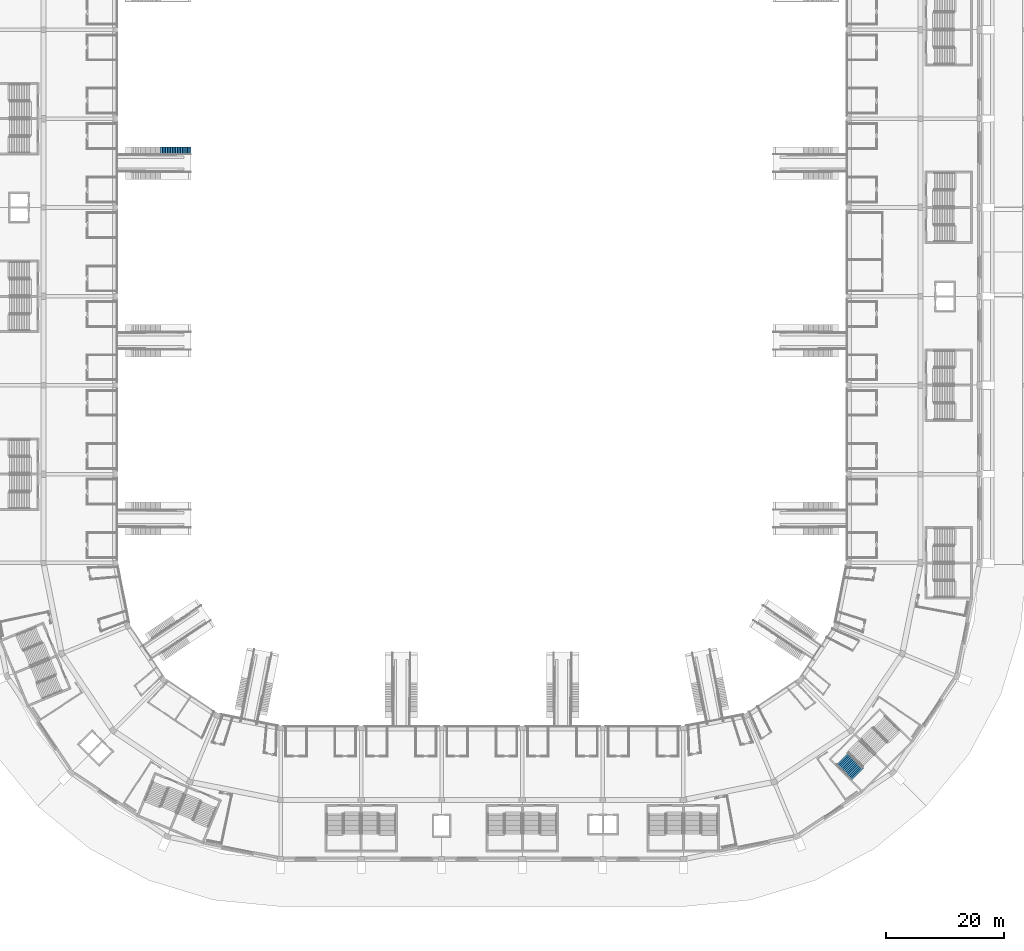
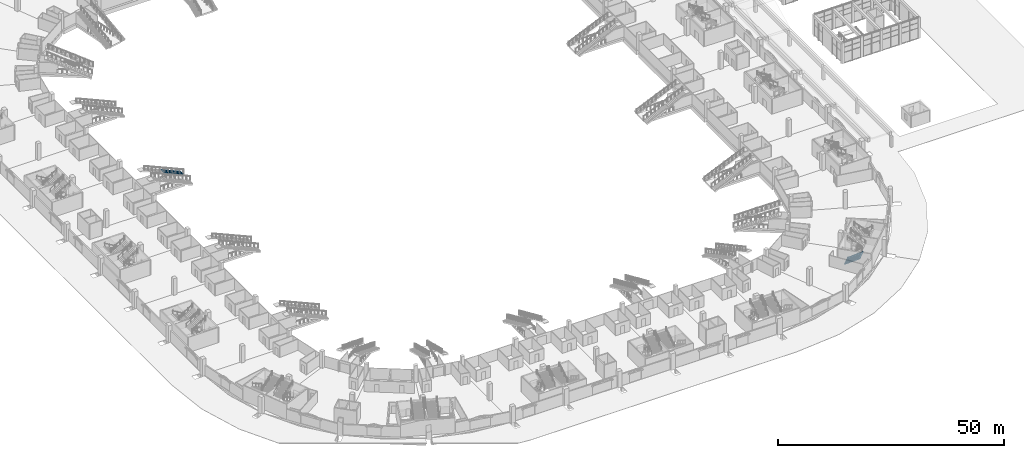
# One storey, part 87 of 175: 2 stair flights, 2 elements without a shape of their own.
"""IFC4 building model written with IfcOpenShell, lengths in metres."""

from ifc_helpers import new_model, si_unit, direction, frame, origin, place, context, subcontext, project, spatial, faceted_brep, material, type_object, element, aggregate, save


model = new_model("IFC4")

# Units and contexts
model_context = context("Model", 3, precision=1e-05, world=origin(), true_north=direction((0.0, 1.0)))
body_context = subcontext(model_context, "Body", "Model", "MODEL_VIEW")
ifc_project = project(units=[si_unit("LENGTHUNIT", "METRE"), si_unit("AREAUNIT", "SQUARE_METRE"), si_unit("VOLUMEUNIT", "CUBIC_METRE"), si_unit("PLANEANGLEUNIT", "RADIAN"), si_unit("MASSUNIT", "GRAM", prefix="KILO")], contexts=[model_context])

# Site, building, storey
site_placement = place(None, origin())
site = spatial("IfcSite", under=ifc_project, at=site_placement, CompositionType="ELEMENT")
building_placement = place(site_placement, origin())
building = spatial("IfcBuilding", under=site, at=building_placement, Name="Ogive Plaza Stadium", CompositionType="ELEMENT")
storey_placement = place(building_placement, origin())
storey = spatial("IfcBuildingStorey", under=building, at=storey_placement, Name="L00", CompositionType="ELEMENT", Elevation=0.0)

# Stair, stair flight
ifc_material_1 = material(Name="Concrete C40/50", Category="concrete")
stair_type_1 = type_object("IfcStairType", Name="Aisle stair", PredefinedType="STRAIGHT_RUN_STAIR", material=ifc_material_1)
stair_1_placement = place(storey_placement, origin())
stair_1 = element("IfcStair", 1, at=stair_1_placement, inside=storey, type_object=stair_type_1, Name="Aisle stair SA25L", PredefinedType="STRAIGHT_RUN_STAIR")
ifc_material_2 = material(Name="Concrete C40/50", Category="concrete")
stair_flight_type_1 = type_object("IfcStairFlightType", Name="Aisle stair flight", PredefinedType="STRAIGHT", material=ifc_material_2)
stair_flight_1_placement = place(storey_placement, frame((-49.14990234375, 17.10009765625, 0.0), z_axis=(0.0, 0.0, 1.0), x_axis=(-1.0, 0.0, 0.0)))
stair_flight_1 = element("IfcStairFlight", 2, at=stair_flight_1_placement, type_object=stair_flight_type_1, Name="SA25L flight 1", NumberOfRisers=18, NumberOfTreads=17, PredefinedType="STRAIGHT", RiserHeight=0.125, TreadLength=0.283333333, context=body_context, shape_type="Brep", body=[
    faceted_brep([(0.371337890625, -0.64990234375, 0.0), (5.10009765625, -0.64990234375, 2.086181640625), (5.10009765625, -0.64990234375, 2.25), (4.816650390625, -0.64990234375, 2.25), (4.816650390625, -0.64990234375, 2.125), (4.533447265625, -0.64990234375, 2.125), (4.533447265625, -0.64990234375, 2.0), (4.25, -0.64990234375, 2.0), (4.25, -0.64990234375, 1.875), (3.966552734375, -0.64990234375, 1.875), (3.966552734375, -0.64990234375, 1.75), (3.683349609375, -0.64990234375, 1.75), (3.683349609375, -0.64990234375, 1.625), (3.39990234375, -0.64990234375, 1.625), (3.39990234375, -0.64990234375, 1.5), (3.11669921875, -0.64990234375, 1.5), (3.11669921875, -0.64990234375, 1.375), (2.833251953125, -0.64990234375, 1.375), (2.833251953125, -0.64990234375, 1.25), (2.550048828125, -0.64990234375, 1.25), (2.550048828125, -0.64990234375, 1.125), (2.2666015625, -0.64990234375, 1.125), (2.2666015625, -0.64990234375, 1.0), (1.9833984375, -0.64990234375, 1.0), (1.9833984375, -0.64990234375, 0.875), (1.699951171875, -0.64990234375, 0.875), (1.699951171875, -0.64990234375, 0.75), (1.416748046875, -0.64990234375, 0.75), (1.416748046875, -0.64990234375, 0.625), (1.13330078125, -0.64990234375, 0.625), (1.13330078125, -0.64990234375, 0.5), (0.85009765625, -0.64990234375, 0.5), (0.85009765625, -0.64990234375, 0.375), (0.566650390625, -0.64990234375, 0.375), (0.566650390625, -0.64990234375, 0.25), (0.283447265625, -0.64990234375, 0.25), (0.283447265625, -0.64990234375, 0.125), (0.0, -0.64990234375, 0.125), (0.0, -0.64990234375, 0.0), (0.0, 0.64990234375, 0.0), (0.0, 0.64990234375, 0.125), (0.283447265625, 0.64990234375, 0.125), (0.283447265625, 0.64990234375, 0.25), (0.566650390625, 0.64990234375, 0.25), (0.566650390625, 0.64990234375, 0.375), (0.85009765625, 0.64990234375, 0.375), (0.85009765625, 0.64990234375, 0.5), (1.13330078125, 0.64990234375, 0.5), (1.13330078125, 0.64990234375, 0.625), (1.416748046875, 0.64990234375, 0.625), (1.416748046875, 0.64990234375, 0.75), (1.699951171875, 0.64990234375, 0.75), (1.699951171875, 0.64990234375, 0.875), (1.9833984375, 0.64990234375, 0.875), (1.9833984375, 0.64990234375, 1.0), (2.2666015625, 0.64990234375, 1.0), (2.2666015625, 0.64990234375, 1.125), (2.550048828125, 0.64990234375, 1.125), (2.550048828125, 0.64990234375, 1.25), (2.833251953125, 0.64990234375, 1.25), (2.833251953125, 0.64990234375, 1.375), (3.11669921875, 0.64990234375, 1.375), (3.11669921875, 0.64990234375, 1.5), (3.39990234375, 0.64990234375, 1.5), (3.39990234375, 0.64990234375, 1.625), (3.683349609375, 0.64990234375, 1.625), (3.683349609375, 0.64990234375, 1.75), (3.966552734375, 0.64990234375, 1.75), (3.966552734375, 0.64990234375, 1.875), (4.25, 0.64990234375, 1.875), (4.25, 0.64990234375, 2.0), (4.533447265625, 0.64990234375, 2.0), (4.533447265625, 0.64990234375, 2.125), (4.816650390625, 0.64990234375, 2.125), (4.816650390625, 0.64990234375, 2.25), (5.10009765625, 0.64990234375, 2.25), (5.10009765625, 0.64990234375, 2.086181640625), (0.371337890625, 0.64990234375, 0.0), (0.371337890625, -0.324951171875, 0.0), (5.10009765625, -0.324951171875, 2.086181640625), (0.371337890625, 0.0, 0.0), (5.10009765625, 0.0, 2.086181640625), (0.371337890625, 0.324951171875, 0.0), (5.10009765625, 0.324951171875, 2.086181640625), (5.10009765625, -0.324951171875, 2.25), (5.10009765625, 0.0, 2.25), (5.10009765625, 0.324951171875, 2.25), (4.816650390625, -0.324951171875, 2.25), (4.816650390625, 0.0, 2.25), (4.816650390625, 0.324951171875, 2.25), (4.816650390625, -0.324951171875, 2.125), (4.816650390625, 0.0, 2.125), (4.816650390625, 0.324951171875, 2.125), (4.533447265625, -0.324951171875, 2.125), (4.533447265625, 0.0, 2.125), (4.533447265625, 0.324951171875, 2.125), (4.533447265625, -0.324951171875, 2.0), (4.533447265625, 0.0, 2.0), (4.533447265625, 0.324951171875, 2.0), (4.25, -0.324951171875, 2.0), (4.25, 0.0, 2.0), (4.25, 0.324951171875, 2.0), (4.25, -0.324951171875, 1.875), (4.25, 0.0, 1.875), (4.25, 0.324951171875, 1.875), (3.966552734375, -0.324951171875, 1.875), (3.966552734375, 0.0, 1.875), (3.966552734375, 0.324951171875, 1.875), (3.966552734375, -0.324951171875, 1.75), (3.966552734375, 0.0, 1.75), (3.966552734375, 0.324951171875, 1.75), (3.683349609375, -0.324951171875, 1.75), (3.683349609375, 0.0, 1.75), (3.683349609375, 0.324951171875, 1.75), (3.683349609375, -0.324951171875, 1.625), (3.683349609375, 0.0, 1.625), (3.683349609375, 0.324951171875, 1.625), (3.39990234375, -0.324951171875, 1.625), (3.39990234375, 0.0, 1.625), (3.39990234375, 0.324951171875, 1.625), (3.39990234375, -0.324951171875, 1.5), (3.39990234375, 0.0, 1.5), (3.39990234375, 0.324951171875, 1.5), (3.11669921875, -0.324951171875, 1.5), (3.11669921875, 0.0, 1.5), (3.11669921875, 0.324951171875, 1.5), (3.11669921875, -0.324951171875, 1.375), (3.11669921875, 0.0, 1.375), (3.11669921875, 0.324951171875, 1.375), (2.833251953125, -0.324951171875, 1.375), (2.833251953125, 0.0, 1.375), (2.833251953125, 0.324951171875, 1.375), (2.833251953125, -0.324951171875, 1.25), (2.833251953125, 0.0, 1.25), (2.833251953125, 0.324951171875, 1.25), (2.550048828125, -0.324951171875, 1.25), (2.550048828125, 0.0, 1.25), (2.550048828125, 0.324951171875, 1.25), (2.550048828125, -0.324951171875, 1.125), (2.550048828125, 0.0, 1.125), (2.550048828125, 0.324951171875, 1.125), (2.2666015625, -0.324951171875, 1.125), (2.2666015625, 0.0, 1.125), (2.2666015625, 0.324951171875, 1.125), (2.2666015625, -0.324951171875, 1.0), (2.2666015625, 0.0, 1.0), (2.2666015625, 0.324951171875, 1.0), (1.9833984375, -0.324951171875, 1.0), (1.9833984375, 0.0, 1.0), (1.9833984375, 0.324951171875, 1.0), (1.9833984375, -0.324951171875, 0.875), (1.9833984375, 0.0, 0.875), (1.9833984375, 0.324951171875, 0.875), (1.699951171875, -0.324951171875, 0.875), (1.699951171875, 0.0, 0.875), (1.699951171875, 0.324951171875, 0.875), (1.699951171875, -0.324951171875, 0.75), (1.699951171875, 0.0, 0.75), (1.699951171875, 0.324951171875, 0.75), (1.416748046875, -0.324951171875, 0.75), (1.416748046875, 0.0, 0.75), (1.416748046875, 0.324951171875, 0.75), (1.416748046875, -0.324951171875, 0.625), (1.416748046875, 0.0, 0.625), (1.416748046875, 0.324951171875, 0.625), (1.13330078125, -0.324951171875, 0.625), (1.13330078125, 0.0, 0.625), (1.13330078125, 0.324951171875, 0.625), (1.13330078125, -0.324951171875, 0.5), (1.13330078125, 0.0, 0.5), (1.13330078125, 0.324951171875, 0.5), (0.85009765625, -0.324951171875, 0.5), (0.85009765625, 0.0, 0.5), (0.85009765625, 0.324951171875, 0.5), (0.85009765625, -0.324951171875, 0.375), (0.85009765625, 0.0, 0.375), (0.85009765625, 0.324951171875, 0.375), (0.566650390625, -0.324951171875, 0.375), (0.566650390625, 0.0, 0.375), (0.566650390625, 0.324951171875, 0.375), (0.566650390625, -0.324951171875, 0.25), (0.566650390625, 0.0, 0.25), (0.566650390625, 0.324951171875, 0.25), (0.283447265625, -0.324951171875, 0.25), (0.283447265625, 0.0, 0.25), (0.283447265625, 0.324951171875, 0.25), (0.283447265625, -0.324951171875, 0.125), (0.283447265625, 0.0, 0.125), (0.283447265625, 0.324951171875, 0.125), (0.0, -0.324951171875, 0.125), (0.0, 0.0, 0.125), (0.0, 0.324951171875, 0.125), (0.0, -0.324951171875, 0.0), (0.0, 0.0, 0.0), (0.0, 0.324951171875, 0.0)], [[[0, 1, 2, 3, 4, 5, 6, 7, 8, 9, 10, 11, 12, 13, 14, 15, 16, 17, 18, 19, 20, 21, 22, 23, 24, 25, 26, 27, 28, 29, 30, 31, 32, 33, 34, 35, 36, 37, 38]], [[39, 40, 41, 42, 43, 44, 45, 46, 47, 48, 49, 50, 51, 52, 53, 54, 55, 56, 57, 58, 59, 60, 61, 62, 63, 64, 65, 66, 67, 68, 69, 70, 71, 72, 73, 74, 75, 76, 77]], [[0, 78, 79, 1]], [[78, 80, 81, 79]], [[80, 82, 83, 81]], [[82, 77, 76, 83]], [[1, 79, 84, 2]], [[79, 81, 85, 84]], [[81, 83, 86, 85]], [[83, 76, 75, 86]], [[2, 84, 87, 3]], [[84, 85, 88, 87]], [[85, 86, 89, 88]], [[86, 75, 74, 89]], [[3, 87, 90, 4]], [[87, 88, 91, 90]], [[88, 89, 92, 91]], [[89, 74, 73, 92]], [[4, 90, 93, 5]], [[90, 91, 94, 93]], [[91, 92, 95, 94]], [[92, 73, 72, 95]], [[5, 93, 96, 6]], [[93, 94, 97, 96]], [[94, 95, 98, 97]], [[95, 72, 71, 98]], [[6, 96, 99, 7]], [[96, 97, 100, 99]], [[97, 98, 101, 100]], [[98, 71, 70, 101]], [[7, 99, 102, 8]], [[99, 100, 103, 102]], [[100, 101, 104, 103]], [[101, 70, 69, 104]], [[8, 102, 105, 9]], [[102, 103, 106, 105]], [[103, 104, 107, 106]], [[104, 69, 68, 107]], [[9, 105, 108, 10]], [[105, 106, 109, 108]], [[106, 107, 110, 109]], [[107, 68, 67, 110]], [[10, 108, 111, 11]], [[108, 109, 112, 111]], [[109, 110, 113, 112]], [[110, 67, 66, 113]], [[11, 111, 114, 12]], [[111, 112, 115, 114]], [[112, 113, 116, 115]], [[113, 66, 65, 116]], [[12, 114, 117, 13]], [[114, 115, 118, 117]], [[115, 116, 119, 118]], [[116, 65, 64, 119]], [[13, 117, 120, 14]], [[117, 118, 121, 120]], [[118, 119, 122, 121]], [[119, 64, 63, 122]], [[14, 120, 123, 15]], [[120, 121, 124, 123]], [[121, 122, 125, 124]], [[122, 63, 62, 125]], [[15, 123, 126, 16]], [[123, 124, 127, 126]], [[124, 125, 128, 127]], [[125, 62, 61, 128]], [[16, 126, 129, 17]], [[126, 127, 130, 129]], [[127, 128, 131, 130]], [[128, 61, 60, 131]], [[17, 129, 132, 18]], [[129, 130, 133, 132]], [[130, 131, 134, 133]], [[131, 60, 59, 134]], [[18, 132, 135, 19]], [[132, 133, 136, 135]], [[133, 134, 137, 136]], [[134, 59, 58, 137]], [[19, 135, 138, 20]], [[135, 136, 139, 138]], [[136, 137, 140, 139]], [[137, 58, 57, 140]], [[20, 138, 141, 21]], [[138, 139, 142, 141]], [[139, 140, 143, 142]], [[140, 57, 56, 143]], [[21, 141, 144, 22]], [[141, 142, 145, 144]], [[142, 143, 146, 145]], [[143, 56, 55, 146]], [[22, 144, 147, 23]], [[144, 145, 148, 147]], [[145, 146, 149, 148]], [[146, 55, 54, 149]], [[23, 147, 150, 24]], [[147, 148, 151, 150]], [[148, 149, 152, 151]], [[149, 54, 53, 152]], [[24, 150, 153, 25]], [[150, 151, 154, 153]], [[151, 152, 155, 154]], [[152, 53, 52, 155]], [[25, 153, 156, 26]], [[153, 154, 157, 156]], [[154, 155, 158, 157]], [[155, 52, 51, 158]], [[26, 156, 159, 27]], [[156, 157, 160, 159]], [[157, 158, 161, 160]], [[158, 51, 50, 161]], [[27, 159, 162, 28]], [[159, 160, 163, 162]], [[160, 161, 164, 163]], [[161, 50, 49, 164]], [[28, 162, 165, 29]], [[162, 163, 166, 165]], [[163, 164, 167, 166]], [[164, 49, 48, 167]], [[29, 165, 168, 30]], [[165, 166, 169, 168]], [[166, 167, 170, 169]], [[167, 48, 47, 170]], [[30, 168, 171, 31]], [[168, 169, 172, 171]], [[169, 170, 173, 172]], [[170, 47, 46, 173]], [[31, 171, 174, 32]], [[171, 172, 175, 174]], [[172, 173, 176, 175]], [[173, 46, 45, 176]], [[32, 174, 177, 33]], [[174, 175, 178, 177]], [[175, 176, 179, 178]], [[176, 45, 44, 179]], [[33, 177, 180, 34]], [[177, 178, 181, 180]], [[178, 179, 182, 181]], [[179, 44, 43, 182]], [[34, 180, 183, 35]], [[180, 181, 184, 183]], [[181, 182, 185, 184]], [[182, 43, 42, 185]], [[35, 183, 186, 36]], [[183, 184, 187, 186]], [[184, 185, 188, 187]], [[185, 42, 41, 188]], [[36, 186, 189, 37]], [[186, 187, 190, 189]], [[187, 188, 191, 190]], [[188, 41, 40, 191]], [[37, 189, 192, 38]], [[189, 190, 193, 192]], [[190, 191, 194, 193]], [[191, 40, 39, 194]], [[38, 192, 78, 0]], [[192, 193, 80, 78]], [[193, 194, 82, 80]], [[194, 39, 77, 82]]]),
])
aggregate(stair_1, [stair_flight_1])

ifc_material_3 = material(Name="Concrete C40/50", Category="concrete")
stair_type_2 = type_object("IfcStairType", Name="Exit stair", PredefinedType="STRAIGHT_RUN_STAIR", material=ifc_material_3)
stair_2_placement = place(storey_placement, origin())
stair_2 = element("IfcStair", 3, at=stair_2_placement, inside=storey, type_object=stair_type_2, Name="Exit stair ST10A L00 to L01", PredefinedType="STRAIGHT_RUN_STAIR")
ifc_material_4 = material(Name="Concrete C40/50", Category="concrete")
stair_flight_type_2 = type_object("IfcStairFlightType", Name="Exit stair flight", PredefinedType="STRAIGHT", material=ifc_material_4)
stair_flight_2_placement = place(storey_placement, frame((60.817138671875, -85.574951171875, 0.0), z_axis=(0.0, 0.0, 1.0), x_axis=(0.707106781187, -0.707106781187, 0.0)))
stair_flight_2 = element("IfcStairFlight", 4, at=stair_flight_2_placement, type_object=stair_flight_type_2, Name="ST10A flight 1", NumberOfRisers=13, NumberOfTreads=12, PredefinedType="STRAIGHT", RiserHeight=0.173076923, TreadLength=0.28, context=body_context, shape_type="Brep", body=[
    faceted_brep([(0.28515625, -1.39990234375, 0.0), (3.639892578125, -1.39990234375, 2.07373046875), (3.639892578125, -1.39990234375, 2.25), (3.360107421875, -1.39990234375, 2.25), (3.360107421875, -1.39990234375, 2.076904296875), (3.080078125, -1.39990234375, 2.076904296875), (3.080078125, -1.39990234375, 1.90380859375), (2.800048828125, -1.39990234375, 1.90380859375), (2.800048828125, -1.39990234375, 1.730712890625), (2.52001953125, -1.39990234375, 1.730712890625), (2.52001953125, -1.39990234375, 1.5576171875), (2.239990234375, -1.39990234375, 1.5576171875), (2.239990234375, -1.39990234375, 1.384521484375), (1.9599609375, -1.39990234375, 1.384521484375), (1.9599609375, -1.39990234375, 1.21142578125), (1.679931640625, -1.39990234375, 1.21142578125), (1.679931640625, -1.39990234375, 1.03857421875), (1.39990234375, -1.39990234375, 1.03857421875), (1.39990234375, -1.39990234375, 0.865478515625), (1.1201171875, -1.39990234375, 0.865478515625), (1.1201171875, -1.39990234375, 0.6923828125), (0.840087890625, -1.39990234375, 0.6923828125), (0.840087890625, -1.39990234375, 0.519287109375), (0.56005859375, -1.39990234375, 0.519287109375), (0.56005859375, -1.39990234375, 0.34619140625), (0.280029296875, -1.39990234375, 0.34619140625), (0.280029296875, -1.39990234375, 0.173095703125), (0.0, -1.39990234375, 0.173095703125), (0.0, -1.39990234375, 0.0), (0.0, 1.39990234375, 0.0), (0.0, 1.39990234375, 0.173095703125), (0.280029296875, 1.39990234375, 0.173095703125), (0.280029296875, 1.39990234375, 0.34619140625), (0.56005859375, 1.39990234375, 0.34619140625), (0.56005859375, 1.39990234375, 0.519287109375), (0.840087890625, 1.39990234375, 0.519287109375), (0.840087890625, 1.39990234375, 0.6923828125), (1.1201171875, 1.39990234375, 0.6923828125), (1.1201171875, 1.39990234375, 0.865478515625), (1.39990234375, 1.39990234375, 0.865478515625), (1.39990234375, 1.39990234375, 1.03857421875), (1.679931640625, 1.39990234375, 1.03857421875), (1.679931640625, 1.39990234375, 1.21142578125), (1.9599609375, 1.39990234375, 1.21142578125), (1.9599609375, 1.39990234375, 1.384521484375), (2.239990234375, 1.39990234375, 1.384521484375), (2.239990234375, 1.39990234375, 1.5576171875), (2.52001953125, 1.39990234375, 1.5576171875), (2.52001953125, 1.39990234375, 1.730712890625), (2.800048828125, 1.39990234375, 1.730712890625), (2.800048828125, 1.39990234375, 1.90380859375), (3.080078125, 1.39990234375, 1.90380859375), (3.080078125, 1.39990234375, 2.076904296875), (3.360107421875, 1.39990234375, 2.076904296875), (3.360107421875, 1.39990234375, 2.25), (3.639892578125, 1.39990234375, 2.25), (3.639892578125, 1.39990234375, 2.07373046875), (0.28515625, 1.39990234375, 0.0), (0.28515625, -1.0888671875, 0.0), (3.639892578125, -1.0888671875, 2.07373046875), (0.28515625, -0.77783203125, 0.0), (3.639892578125, -0.77783203125, 2.07373046875), (0.28515625, -0.466796875, 0.0), (3.639892578125, -0.466796875, 2.07373046875), (0.28515625, -0.155517578125, 0.0), (3.639892578125, -0.155517578125, 2.07373046875), (0.28515625, 0.155517578125, 0.0), (3.639892578125, 0.155517578125, 2.07373046875), (0.28515625, 0.466796875, 0.0), (3.639892578125, 0.466796875, 2.07373046875), (0.28515625, 0.77783203125, 0.0), (3.639892578125, 0.77783203125, 2.07373046875), (0.28515625, 1.0888671875, 0.0), (3.639892578125, 1.0888671875, 2.07373046875), (3.639892578125, -1.0888671875, 2.25), (3.639892578125, -0.77783203125, 2.25), (3.639892578125, -0.466796875, 2.25), (3.639892578125, -0.155517578125, 2.25), (3.639892578125, 0.155517578125, 2.25), (3.639892578125, 0.466796875, 2.25), (3.639892578125, 0.77783203125, 2.25), (3.639892578125, 1.0888671875, 2.25), (3.360107421875, -1.0888671875, 2.25), (3.360107421875, -0.77783203125, 2.25), (3.360107421875, -0.466796875, 2.25), (3.360107421875, -0.155517578125, 2.25), (3.360107421875, 0.155517578125, 2.25), (3.360107421875, 0.466796875, 2.25), (3.360107421875, 0.77783203125, 2.25), (3.360107421875, 1.0888671875, 2.25), (3.360107421875, -1.0888671875, 2.076904296875), (3.360107421875, -0.77783203125, 2.076904296875), (3.360107421875, -0.466796875, 2.076904296875), (3.360107421875, -0.155517578125, 2.076904296875), (3.360107421875, 0.155517578125, 2.076904296875), (3.360107421875, 0.466796875, 2.076904296875), (3.360107421875, 0.77783203125, 2.076904296875), (3.360107421875, 1.0888671875, 2.076904296875), (3.080078125, -1.0888671875, 2.076904296875), (3.080078125, -0.77783203125, 2.076904296875), (3.080078125, -0.466796875, 2.076904296875), (3.080078125, -0.155517578125, 2.076904296875), (3.080078125, 0.155517578125, 2.076904296875), (3.080078125, 0.466796875, 2.076904296875), (3.080078125, 0.77783203125, 2.076904296875), (3.080078125, 1.0888671875, 2.076904296875), (3.080078125, -1.0888671875, 1.90380859375), (3.080078125, -0.77783203125, 1.90380859375), (3.080078125, -0.466796875, 1.90380859375), (3.080078125, -0.155517578125, 1.90380859375), (3.080078125, 0.155517578125, 1.90380859375), (3.080078125, 0.466796875, 1.90380859375), (3.080078125, 0.77783203125, 1.90380859375), (3.080078125, 1.0888671875, 1.90380859375), (2.800048828125, -1.0888671875, 1.90380859375), (2.800048828125, -0.77783203125, 1.90380859375), (2.800048828125, -0.466796875, 1.90380859375), (2.800048828125, -0.155517578125, 1.90380859375), (2.800048828125, 0.155517578125, 1.90380859375), (2.800048828125, 0.466796875, 1.90380859375), (2.800048828125, 0.77783203125, 1.90380859375), (2.800048828125, 1.0888671875, 1.90380859375), (2.800048828125, -1.0888671875, 1.730712890625), (2.800048828125, -0.77783203125, 1.730712890625), (2.800048828125, -0.466796875, 1.730712890625), (2.800048828125, -0.155517578125, 1.730712890625), (2.800048828125, 0.155517578125, 1.730712890625), (2.800048828125, 0.466796875, 1.730712890625), (2.800048828125, 0.77783203125, 1.730712890625), (2.800048828125, 1.0888671875, 1.730712890625), (2.52001953125, -1.0888671875, 1.730712890625), (2.52001953125, -0.77783203125, 1.730712890625), (2.52001953125, -0.466796875, 1.730712890625), (2.52001953125, -0.155517578125, 1.730712890625), (2.52001953125, 0.155517578125, 1.730712890625), (2.52001953125, 0.466796875, 1.730712890625), (2.52001953125, 0.77783203125, 1.730712890625), (2.52001953125, 1.0888671875, 1.730712890625), (2.52001953125, -1.0888671875, 1.5576171875), (2.52001953125, -0.77783203125, 1.5576171875), (2.52001953125, -0.466796875, 1.5576171875), (2.52001953125, -0.155517578125, 1.5576171875), (2.52001953125, 0.155517578125, 1.5576171875), (2.52001953125, 0.466796875, 1.5576171875), (2.52001953125, 0.77783203125, 1.5576171875), (2.52001953125, 1.0888671875, 1.5576171875), (2.239990234375, -1.0888671875, 1.5576171875), (2.239990234375, -0.77783203125, 1.5576171875), (2.239990234375, -0.466796875, 1.5576171875), (2.239990234375, -0.155517578125, 1.5576171875), (2.239990234375, 0.155517578125, 1.5576171875), (2.239990234375, 0.466796875, 1.5576171875), (2.239990234375, 0.77783203125, 1.5576171875), (2.239990234375, 1.0888671875, 1.5576171875), (2.239990234375, -1.0888671875, 1.384521484375), (2.239990234375, -0.77783203125, 1.384521484375), (2.239990234375, -0.466796875, 1.384521484375), (2.239990234375, -0.155517578125, 1.384521484375), (2.239990234375, 0.155517578125, 1.384521484375), (2.239990234375, 0.466796875, 1.384521484375), (2.239990234375, 0.77783203125, 1.384521484375), (2.239990234375, 1.0888671875, 1.384521484375), (1.9599609375, -1.0888671875, 1.384521484375), (1.9599609375, -0.77783203125, 1.384521484375), (1.9599609375, -0.466796875, 1.384521484375), (1.9599609375, -0.155517578125, 1.384521484375), (1.9599609375, 0.155517578125, 1.384521484375), (1.9599609375, 0.466796875, 1.384521484375), (1.9599609375, 0.77783203125, 1.384521484375), (1.9599609375, 1.0888671875, 1.384521484375), (1.9599609375, -1.0888671875, 1.21142578125), (1.9599609375, -0.77783203125, 1.21142578125), (1.9599609375, -0.466796875, 1.21142578125), (1.9599609375, -0.155517578125, 1.21142578125), (1.9599609375, 0.155517578125, 1.21142578125), (1.9599609375, 0.466796875, 1.21142578125), (1.9599609375, 0.77783203125, 1.21142578125), (1.9599609375, 1.0888671875, 1.21142578125), (1.679931640625, -1.0888671875, 1.21142578125), (1.679931640625, -0.77783203125, 1.21142578125), (1.679931640625, -0.466796875, 1.21142578125), (1.679931640625, -0.155517578125, 1.21142578125), (1.679931640625, 0.155517578125, 1.21142578125), (1.679931640625, 0.466796875, 1.21142578125), (1.679931640625, 0.77783203125, 1.21142578125), (1.679931640625, 1.0888671875, 1.21142578125), (1.679931640625, -1.0888671875, 1.03857421875), (1.679931640625, -0.77783203125, 1.03857421875), (1.679931640625, -0.466796875, 1.03857421875), (1.679931640625, -0.155517578125, 1.03857421875), (1.679931640625, 0.155517578125, 1.03857421875), (1.679931640625, 0.466796875, 1.03857421875), (1.679931640625, 0.77783203125, 1.03857421875), (1.679931640625, 1.0888671875, 1.03857421875), (1.39990234375, -1.0888671875, 1.03857421875), (1.39990234375, -0.77783203125, 1.03857421875), (1.39990234375, -0.466796875, 1.03857421875), (1.39990234375, -0.155517578125, 1.03857421875), (1.39990234375, 0.155517578125, 1.03857421875), (1.39990234375, 0.466796875, 1.03857421875), (1.39990234375, 0.77783203125, 1.03857421875), (1.39990234375, 1.0888671875, 1.03857421875), (1.39990234375, -1.0888671875, 0.865478515625), (1.39990234375, -0.77783203125, 0.865478515625), (1.39990234375, -0.466796875, 0.865478515625), (1.39990234375, -0.155517578125, 0.865478515625), (1.39990234375, 0.155517578125, 0.865478515625), (1.39990234375, 0.466796875, 0.865478515625), (1.39990234375, 0.77783203125, 0.865478515625), (1.39990234375, 1.0888671875, 0.865478515625), (1.1201171875, -1.0888671875, 0.865478515625), (1.1201171875, -0.77783203125, 0.865478515625), (1.1201171875, -0.466796875, 0.865478515625), (1.1201171875, -0.155517578125, 0.865478515625), (1.1201171875, 0.155517578125, 0.865478515625), (1.1201171875, 0.466796875, 0.865478515625), (1.1201171875, 0.77783203125, 0.865478515625), (1.1201171875, 1.0888671875, 0.865478515625), (1.1201171875, -1.0888671875, 0.6923828125), (1.1201171875, -0.77783203125, 0.6923828125), (1.1201171875, -0.466796875, 0.6923828125), (1.1201171875, -0.155517578125, 0.6923828125), (1.1201171875, 0.155517578125, 0.6923828125), (1.1201171875, 0.466796875, 0.6923828125), (1.1201171875, 0.77783203125, 0.6923828125), (1.1201171875, 1.0888671875, 0.6923828125), (0.840087890625, -1.0888671875, 0.6923828125), (0.840087890625, -0.77783203125, 0.6923828125), (0.840087890625, -0.466796875, 0.6923828125), (0.840087890625, -0.155517578125, 0.6923828125), (0.840087890625, 0.155517578125, 0.6923828125), (0.840087890625, 0.466796875, 0.6923828125), (0.840087890625, 0.77783203125, 0.6923828125), (0.840087890625, 1.0888671875, 0.6923828125), (0.840087890625, -1.0888671875, 0.519287109375), (0.840087890625, -0.77783203125, 0.519287109375), (0.840087890625, -0.466796875, 0.519287109375), (0.840087890625, -0.155517578125, 0.519287109375), (0.840087890625, 0.155517578125, 0.519287109375), (0.840087890625, 0.466796875, 0.519287109375), (0.840087890625, 0.77783203125, 0.519287109375), (0.840087890625, 1.0888671875, 0.519287109375), (0.56005859375, -1.0888671875, 0.519287109375), (0.56005859375, -0.77783203125, 0.519287109375), (0.56005859375, -0.466796875, 0.519287109375), (0.56005859375, -0.155517578125, 0.519287109375), (0.56005859375, 0.155517578125, 0.519287109375), (0.56005859375, 0.466796875, 0.519287109375), (0.56005859375, 0.77783203125, 0.519287109375), (0.56005859375, 1.0888671875, 0.519287109375), (0.56005859375, -1.0888671875, 0.34619140625), (0.56005859375, -0.77783203125, 0.34619140625), (0.56005859375, -0.466796875, 0.34619140625), (0.56005859375, -0.155517578125, 0.34619140625), (0.56005859375, 0.155517578125, 0.34619140625), (0.56005859375, 0.466796875, 0.34619140625), (0.56005859375, 0.77783203125, 0.34619140625), (0.56005859375, 1.0888671875, 0.34619140625), (0.280029296875, -1.0888671875, 0.34619140625), (0.280029296875, -0.77783203125, 0.34619140625), (0.280029296875, -0.466796875, 0.34619140625), (0.280029296875, -0.155517578125, 0.34619140625), (0.280029296875, 0.155517578125, 0.34619140625), (0.280029296875, 0.466796875, 0.34619140625), (0.280029296875, 0.77783203125, 0.34619140625), (0.280029296875, 1.0888671875, 0.34619140625), (0.280029296875, -1.0888671875, 0.173095703125), (0.280029296875, -0.77783203125, 0.173095703125), (0.280029296875, -0.466796875, 0.173095703125), (0.280029296875, -0.155517578125, 0.173095703125), (0.280029296875, 0.155517578125, 0.173095703125), (0.280029296875, 0.466796875, 0.173095703125), (0.280029296875, 0.77783203125, 0.173095703125), (0.280029296875, 1.0888671875, 0.173095703125), (0.0, -1.0888671875, 0.173095703125), (0.0, -0.77783203125, 0.173095703125), (0.0, -0.466796875, 0.173095703125), (0.0, -0.155517578125, 0.173095703125), (0.0, 0.155517578125, 0.173095703125), (0.0, 0.466796875, 0.173095703125), (0.0, 0.77783203125, 0.173095703125), (0.0, 1.0888671875, 0.173095703125), (0.0, -1.0888671875, 0.0), (0.0, -0.77783203125, 0.0), (0.0, -0.466796875, 0.0), (0.0, -0.155517578125, 0.0), (0.0, 0.155517578125, 0.0), (0.0, 0.466796875, 0.0), (0.0, 0.77783203125, 0.0), (0.0, 1.0888671875, 0.0)], [[[0, 1, 2, 3, 4, 5, 6, 7, 8, 9, 10, 11, 12, 13, 14, 15, 16, 17, 18, 19, 20, 21, 22, 23, 24, 25, 26, 27, 28]], [[29, 30, 31, 32, 33, 34, 35, 36, 37, 38, 39, 40, 41, 42, 43, 44, 45, 46, 47, 48, 49, 50, 51, 52, 53, 54, 55, 56, 57]], [[0, 58, 59, 1]], [[58, 60, 61, 59]], [[60, 62, 63, 61]], [[62, 64, 65, 63]], [[64, 66, 67, 65]], [[66, 68, 69, 67]], [[68, 70, 71, 69]], [[70, 72, 73, 71]], [[72, 57, 56, 73]], [[1, 59, 74, 2]], [[59, 61, 75, 74]], [[61, 63, 76, 75]], [[63, 65, 77, 76]], [[65, 67, 78, 77]], [[67, 69, 79, 78]], [[69, 71, 80, 79]], [[71, 73, 81, 80]], [[73, 56, 55, 81]], [[2, 74, 82, 3]], [[74, 75, 83, 82]], [[75, 76, 84, 83]], [[76, 77, 85, 84]], [[77, 78, 86, 85]], [[78, 79, 87, 86]], [[79, 80, 88, 87]], [[80, 81, 89, 88]], [[81, 55, 54, 89]], [[3, 82, 90, 4]], [[82, 83, 91, 90]], [[83, 84, 92, 91]], [[84, 85, 93, 92]], [[85, 86, 94, 93]], [[86, 87, 95, 94]], [[87, 88, 96, 95]], [[88, 89, 97, 96]], [[89, 54, 53, 97]], [[4, 90, 98, 5]], [[90, 91, 99, 98]], [[91, 92, 100, 99]], [[92, 93, 101, 100]], [[93, 94, 102, 101]], [[94, 95, 103, 102]], [[95, 96, 104, 103]], [[96, 97, 105, 104]], [[97, 53, 52, 105]], [[5, 98, 106, 6]], [[98, 99, 107, 106]], [[99, 100, 108, 107]], [[100, 101, 109, 108]], [[101, 102, 110, 109]], [[102, 103, 111, 110]], [[103, 104, 112, 111]], [[104, 105, 113, 112]], [[105, 52, 51, 113]], [[6, 106, 114, 7]], [[106, 107, 115, 114]], [[107, 108, 116, 115]], [[108, 109, 117, 116]], [[109, 110, 118, 117]], [[110, 111, 119, 118]], [[111, 112, 120, 119]], [[112, 113, 121, 120]], [[113, 51, 50, 121]], [[7, 114, 122, 8]], [[114, 115, 123, 122]], [[115, 116, 124, 123]], [[116, 117, 125, 124]], [[117, 118, 126, 125]], [[118, 119, 127, 126]], [[119, 120, 128, 127]], [[120, 121, 129, 128]], [[121, 50, 49, 129]], [[8, 122, 130, 9]], [[122, 123, 131, 130]], [[123, 124, 132, 131]], [[124, 125, 133, 132]], [[125, 126, 134, 133]], [[126, 127, 135, 134]], [[127, 128, 136, 135]], [[128, 129, 137, 136]], [[129, 49, 48, 137]], [[9, 130, 138, 10]], [[130, 131, 139, 138]], [[131, 132, 140, 139]], [[132, 133, 141, 140]], [[133, 134, 142, 141]], [[134, 135, 143, 142]], [[135, 136, 144, 143]], [[136, 137, 145, 144]], [[137, 48, 47, 145]], [[10, 138, 146, 11]], [[138, 139, 147, 146]], [[139, 140, 148, 147]], [[140, 141, 149, 148]], [[141, 142, 150, 149]], [[142, 143, 151, 150]], [[143, 144, 152, 151]], [[144, 145, 153, 152]], [[145, 47, 46, 153]], [[11, 146, 154, 12]], [[146, 147, 155, 154]], [[147, 148, 156, 155]], [[148, 149, 157, 156]], [[149, 150, 158, 157]], [[150, 151, 159, 158]], [[151, 152, 160, 159]], [[152, 153, 161, 160]], [[153, 46, 45, 161]], [[12, 154, 162, 13]], [[154, 155, 163, 162]], [[155, 156, 164, 163]], [[156, 157, 165, 164]], [[157, 158, 166, 165]], [[158, 159, 167, 166]], [[159, 160, 168, 167]], [[160, 161, 169, 168]], [[161, 45, 44, 169]], [[13, 162, 170, 14]], [[162, 163, 171, 170]], [[163, 164, 172, 171]], [[164, 165, 173, 172]], [[165, 166, 174, 173]], [[166, 167, 175, 174]], [[167, 168, 176, 175]], [[168, 169, 177, 176]], [[169, 44, 43, 177]], [[14, 170, 178, 15]], [[170, 171, 179, 178]], [[171, 172, 180, 179]], [[172, 173, 181, 180]], [[173, 174, 182, 181]], [[174, 175, 183, 182]], [[175, 176, 184, 183]], [[176, 177, 185, 184]], [[177, 43, 42, 185]], [[15, 178, 186, 16]], [[178, 179, 187, 186]], [[179, 180, 188, 187]], [[180, 181, 189, 188]], [[181, 182, 190, 189]], [[182, 183, 191, 190]], [[183, 184, 192, 191]], [[184, 185, 193, 192]], [[185, 42, 41, 193]], [[16, 186, 194, 17]], [[186, 187, 195, 194]], [[187, 188, 196, 195]], [[188, 189, 197, 196]], [[189, 190, 198, 197]], [[190, 191, 199, 198]], [[191, 192, 200, 199]], [[192, 193, 201, 200]], [[193, 41, 40, 201]], [[17, 194, 202, 18]], [[194, 195, 203, 202]], [[195, 196, 204, 203]], [[196, 197, 205, 204]], [[197, 198, 206, 205]], [[198, 199, 207, 206]], [[199, 200, 208, 207]], [[200, 201, 209, 208]], [[201, 40, 39, 209]], [[18, 202, 210, 19]], [[202, 203, 211, 210]], [[203, 204, 212, 211]], [[204, 205, 213, 212]], [[205, 206, 214, 213]], [[206, 207, 215, 214]], [[207, 208, 216, 215]], [[208, 209, 217, 216]], [[209, 39, 38, 217]], [[19, 210, 218, 20]], [[210, 211, 219, 218]], [[211, 212, 220, 219]], [[212, 213, 221, 220]], [[213, 214, 222, 221]], [[214, 215, 223, 222]], [[215, 216, 224, 223]], [[216, 217, 225, 224]], [[217, 38, 37, 225]], [[20, 218, 226, 21]], [[218, 219, 227, 226]], [[219, 220, 228, 227]], [[220, 221, 229, 228]], [[221, 222, 230, 229]], [[222, 223, 231, 230]], [[223, 224, 232, 231]], [[224, 225, 233, 232]], [[225, 37, 36, 233]], [[21, 226, 234, 22]], [[226, 227, 235, 234]], [[227, 228, 236, 235]], [[228, 229, 237, 236]], [[229, 230, 238, 237]], [[230, 231, 239, 238]], [[231, 232, 240, 239]], [[232, 233, 241, 240]], [[233, 36, 35, 241]], [[22, 234, 242, 23]], [[234, 235, 243, 242]], [[235, 236, 244, 243]], [[236, 237, 245, 244]], [[237, 238, 246, 245]], [[238, 239, 247, 246]], [[239, 240, 248, 247]], [[240, 241, 249, 248]], [[241, 35, 34, 249]], [[23, 242, 250, 24]], [[242, 243, 251, 250]], [[243, 244, 252, 251]], [[244, 245, 253, 252]], [[245, 246, 254, 253]], [[246, 247, 255, 254]], [[247, 248, 256, 255]], [[248, 249, 257, 256]], [[249, 34, 33, 257]], [[24, 250, 258, 25]], [[250, 251, 259, 258]], [[251, 252, 260, 259]], [[252, 253, 261, 260]], [[253, 254, 262, 261]], [[254, 255, 263, 262]], [[255, 256, 264, 263]], [[256, 257, 265, 264]], [[257, 33, 32, 265]], [[25, 258, 266, 26]], [[258, 259, 267, 266]], [[259, 260, 268, 267]], [[260, 261, 269, 268]], [[261, 262, 270, 269]], [[262, 263, 271, 270]], [[263, 264, 272, 271]], [[264, 265, 273, 272]], [[265, 32, 31, 273]], [[26, 266, 274, 27]], [[266, 267, 275, 274]], [[267, 268, 276, 275]], [[268, 269, 277, 276]], [[269, 270, 278, 277]], [[270, 271, 279, 278]], [[271, 272, 280, 279]], [[272, 273, 281, 280]], [[273, 31, 30, 281]], [[27, 274, 282, 28]], [[274, 275, 283, 282]], [[275, 276, 284, 283]], [[276, 277, 285, 284]], [[277, 278, 286, 285]], [[278, 279, 287, 286]], [[279, 280, 288, 287]], [[280, 281, 289, 288]], [[281, 30, 29, 289]], [[28, 282, 58, 0]], [[282, 283, 60, 58]], [[283, 284, 62, 60]], [[284, 285, 64, 62]], [[285, 286, 66, 64]], [[286, 287, 68, 66]], [[287, 288, 70, 68]], [[288, 289, 72, 70]], [[289, 29, 57, 72]]]),
])
aggregate(stair_2, [stair_flight_2])

save(model, "model.ifc")
